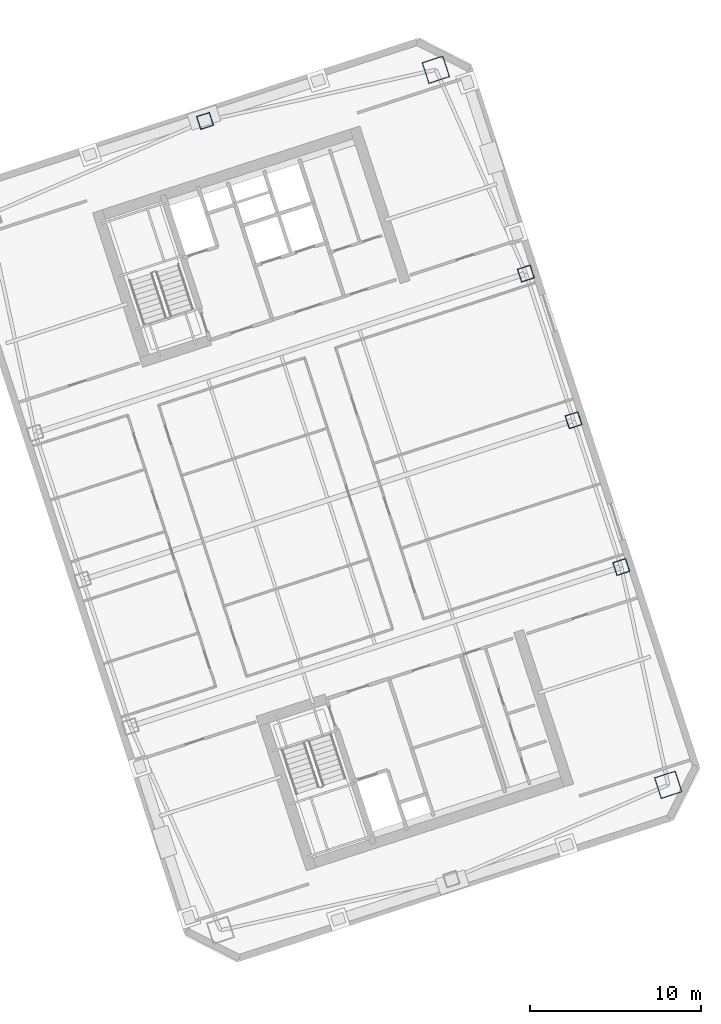
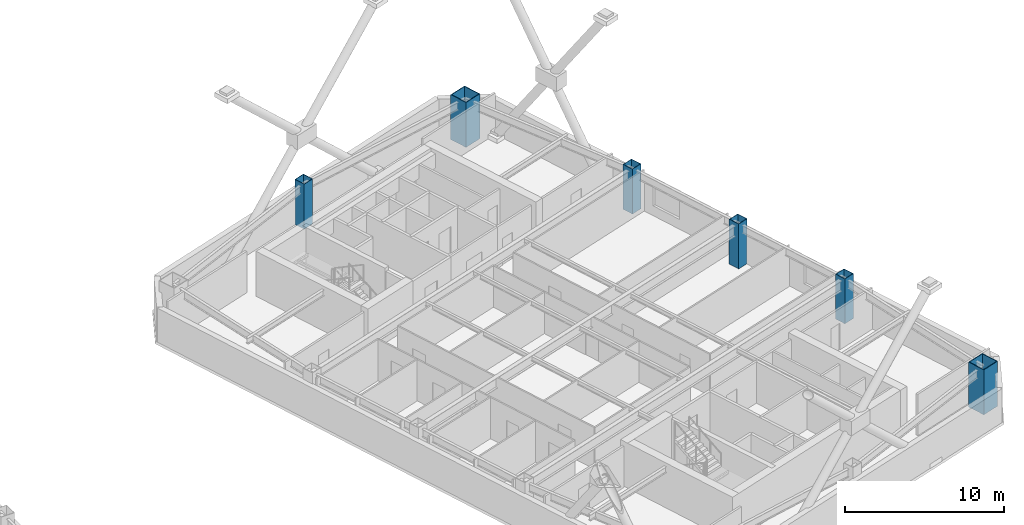
# One storey, part 2 of 14: 6 columns.
"""IFC4 building model written with IfcOpenShell, lengths in metres."""

import ifcopenshell
import ifcopenshell.guid

model = None  # the IFC model being written
_history = None  # IfcOwnerHistory: only IFC2X3 demands one
_inside = {}  # id of a spatial element -> (the spatial element, [elements in it])
_under = {}  # id of a project, library or spatial element -> (it, [spatial elements below it])
_declared = {}  # id of a project -> (the project, [libraries it declares])
_typed = {}  # id of a type object -> (the type object, [elements of that type])
_made_of = {}  # id of a material, layer set ... -> (it, [elements and type objects made of it])


def new_model(schema):
    """Start an empty IFC model of exactly this schema.

    Asked for "IFC4X3", IfcOpenShell would pick the latest addendum, in which some entities
    have other attributes; the version numbers below select the first issue.
    IFC2X3 requires an IfcOwnerHistory on every rooted entity: one is made here for all.
    """
    global model, _history
    if schema == "IFC4X3":
        model = ifcopenshell.file(schema_version=(4, 3, 0, 0))
    else:
        model = ifcopenshell.file(schema=schema)
    _inside.clear()
    _under.clear()
    _declared.clear()
    _typed.clear()
    _made_of.clear()
    _history = None
    if model.schema == "IFC2X3":
        org = make("IfcOrganization", Name="unknown")
        user = make(
            "IfcPersonAndOrganization",
            ThePerson=make("IfcPerson", FamilyName="unknown"),
            TheOrganization=org,
        )
        app = make(
            "IfcApplication",
            ApplicationDeveloper=org,
            Version="unknown",
            ApplicationFullName="unknown",
            ApplicationIdentifier="unknown",
        )
        _history = make(
            "IfcOwnerHistory",
            OwningUser=user,
            OwningApplication=app,
            ChangeAction="ADDED",
            CreationDate=0,
        )
    return model


def make(cls, **values):
    """One entity of the class cls with the attributes given. An attribute that is None is left unset."""
    return model.create_entity(
        cls, **{name: value for name, value in values.items() if value is not None}
    )


def rooted(cls, **values):
    """An entity with a GlobalId (a new one), such as an element, a storey or a relation."""
    return make(cls, GlobalId=ifcopenshell.guid.new(), OwnerHistory=_history, **values)


def si_unit(unit_type, name, prefix=None):
    """IfcSIUnit, for example si_unit("LENGTHUNIT", "METRE", prefix="MILLI")."""
    return make("IfcSIUnit", UnitType=unit_type, Prefix=prefix, Name=name)


def assignment(units):
    """IfcUnitAssignment: the units of a project."""
    return None if units is None else make("IfcUnitAssignment", Units=units)


def point(xyz):
    """IfcCartesianPoint."""
    return None if xyz is None else make("IfcCartesianPoint", Coordinates=xyz)


def direction(xyz):
    """IfcDirection."""
    return None if xyz is None else make("IfcDirection", DirectionRatios=xyz)


def frame(location, z_axis=None, x_axis=None):
    """IfcAxis2Placement3D, a coordinate frame: its origin and axes. An axis left out is left unset."""
    return make(
        "IfcAxis2Placement3D",
        Location=point(location),
        Axis=direction(z_axis),
        RefDirection=direction(x_axis),
    )


def frame_2d(location, x_axis=None):
    """IfcAxis2Placement2D, a coordinate frame in the plane: its origin and x axis."""
    return make(
        "IfcAxis2Placement2D", Location=point(location), RefDirection=direction(x_axis)
    )


def origin():
    """The frame at (0, 0, 0) with its axes left unset."""
    return frame((0.0, 0.0, 0.0))


def origin_2d():
    """The frame at (0, 0) in the plane with its x axis left unset."""
    return frame_2d((0.0, 0.0))


def place(relative_to, where):
    """IfcLocalPlacement: puts the frame where relative to a parent placement (None: the world)."""
    return make(
        "IfcLocalPlacement", PlacementRelTo=relative_to, RelativePlacement=where
    )


def context(
    kind, dimensions, precision=None, world=None, true_north=None, identifier=None
):
    """IfcGeometricRepresentationContext, for example the 3D "Model" context."""
    return make(
        "IfcGeometricRepresentationContext",
        ContextIdentifier=identifier,
        ContextType=kind,
        CoordinateSpaceDimension=dimensions,
        Precision=precision,
        WorldCoordinateSystem=world,
        TrueNorth=true_north,
    )


def subcontext(parent, identifier, kind, view, scale=None):
    """IfcGeometricRepresentationSubContext, for example "Body" below "Model"."""
    return make(
        "IfcGeometricRepresentationSubContext",
        ContextIdentifier=identifier,
        ContextType=kind,
        ParentContext=parent,
        TargetScale=scale,
        TargetView=view,
    )


def project(units=None, contexts=None):
    """IfcProject with its units and contexts."""
    return rooted(
        "IfcProject",
        Name="project",
        RepresentationContexts=contexts,
        UnitsInContext=assignment(units),
    )


def spatial(cls, under=None, at=None, **own):
    """A site, building, storey or space (cls), placed at a placement, below another one or the project."""
    s = rooted(cls, ObjectPlacement=at, **own)
    if under is not None:
        _under.setdefault(under.id(), (under, []))[1].append(s)
    return s


def profile(cls, at=None, kind="AREA", **sizes):
    """A parametric profile (cls). Its sizes go by their IFC names, for example OverallWidth=200.0."""
    return make(cls, ProfileType=kind, Position=at, **sizes)


def hollow_rectangle(**sizes):
    """IfcRectangleHollowProfileDef."""
    return profile("IfcRectangleHollowProfileDef", **sizes)


def extrude(swept, where, along, depth):
    """IfcExtrudedAreaSolid: the profile swept, set in the frame where, extruded along a direction by depth."""
    return make(
        "IfcExtrudedAreaSolid",
        SweptArea=swept,
        Position=where,
        ExtrudedDirection=direction(along),
        Depth=depth,
    )


def shape(context_of_items, identifier, shape_type, items):
    """IfcShapeRepresentation: the items that make up one representation, for example the "Body"."""
    return make(
        "IfcShapeRepresentation",
        ContextOfItems=context_of_items,
        RepresentationIdentifier=identifier,
        RepresentationType=shape_type,
        Items=items,
    )


def material(Name=None, Category=None):
    """IfcMaterial."""
    return make("IfcMaterial", Name=Name, Category=Category)


def material_profile(
    of_material, cross_section, Name=None, Category=None, Priority=None
):
    """IfcMaterialProfile: a cross section and its material."""
    return make(
        "IfcMaterialProfile",
        Name=Name,
        Material=of_material,
        Profile=cross_section,
        Priority=Priority,
        Category=Category,
    )


def profile_set(profiles, Name=None, composite=None):
    """IfcMaterialProfileSet."""
    return make(
        "IfcMaterialProfileSet",
        Name=Name,
        MaterialProfiles=profiles,
        CompositeProfile=composite,
    )


def made_of(thing, what):
    """Note that an element or type object is made of a material, layer set ...; save() writes the relation."""
    if what is not None:
        _made_of.setdefault(what.id(), (what, []))[1].append(thing)
    return thing


def type_object(cls, material=None, **own):
    """A type object (cls), such as IfcWallType, which elements share."""
    return made_of(rooted(cls, **own), material)


def element(
    cls,
    number,
    at=None,
    inside=None,
    cuts=None,
    type_object=None,
    material=None,
    context=None,
    identifier="Body",
    shape_type=None,
    held_by="IfcProductDefinitionShape",
    body=None,
    shapes=None,
    **own,
):
    """One element of the class cls, such as IfcWall. Its Tag is "e" and its number.

    at: its placement. inside: the storey or other place that contains it. cuts: it is an
    opening in that element (IfcRelVoidsElement). A single representation is given by context,
    identifier, shape_type and body (its items); several are given by shapes. held_by: the class
    of the entity that holds the representations. save() writes the other relations.
    """
    e = rooted(cls, Tag="e%d" % number, ObjectPlacement=at, **own)
    if body is not None:
        shapes = [shape(context, identifier, shape_type, body)]
    if shapes is not None:
        e.Representation = make(held_by, Representations=shapes)
    if inside is not None:
        _inside.setdefault(inside.id(), (inside, []))[1].append(e)
    if cuts is not None:
        rooted(
            "IfcRelVoidsElement", RelatingBuildingElement=cuts, RelatedOpeningElement=e
        )
    if type_object is not None:
        _typed.setdefault(type_object.id(), (type_object, []))[1].append(e)
    return made_of(e, material)


def aggregate(whole, parts):
    """IfcRelAggregates: a whole, such as a stair, and the parts it consists of."""
    return rooted("IfcRelAggregates", RelatingObject=whole, RelatedObjects=parts)


def save(model, path):
    """Write the relations noted so far, then the file.

    IfcRelAggregates (storeys below a building ...), IfcRelContainedInSpatialStructure (elements
    in a storey), IfcRelDefinesByType, IfcRelAssociatesMaterial and IfcRelDeclares: one each for
    every whole, place, type object, material and project.
    """
    for whole, parts in _under.values():
        aggregate(whole, parts)
    for where, things in _inside.values():
        rooted(
            "IfcRelContainedInSpatialStructure",
            RelatedElements=things,
            RelatingStructure=where,
        )
    for kind, things in _typed.values():
        rooted("IfcRelDefinesByType", RelatedObjects=things, RelatingType=kind)
    for what, things in _made_of.values():
        rooted("IfcRelAssociatesMaterial", RelatedObjects=things, RelatingMaterial=what)
    for by, libraries in _declared.values():
        rooted("IfcRelDeclares", RelatingContext=by, RelatedDefinitions=libraries)
    model.write(path)


model = new_model("IFC4")

# Units and contexts
model_context = context("Model", 3, precision=1e-05, world=origin(), true_north=direction((0.0, 1.0)))
body_context = subcontext(model_context, "Body", "Model", "MODEL_VIEW")
ifc_project = project(units=[si_unit("LENGTHUNIT", "METRE"), si_unit("AREAUNIT", "SQUARE_METRE"), si_unit("VOLUMEUNIT", "CUBIC_METRE"), si_unit("PLANEANGLEUNIT", "RADIAN"), si_unit("MASSUNIT", "GRAM", prefix="KILO")], contexts=[model_context])

# Site, building, storey
site_placement = place(None, origin())
site = spatial("IfcSite", under=ifc_project, at=site_placement, CompositionType="ELEMENT")
building_placement = place(site_placement, origin())
building = spatial("IfcBuilding", under=site, at=building_placement, Name="Qiaolan Cultural Towers", CompositionType="ELEMENT")
storey_placement = place(building_placement, frame((0.0, 0.0, 149.5)))
storey = spatial("IfcBuildingStorey", under=building, at=storey_placement, Name="L39", CompositionType="ELEMENT", Elevation=149.5)

# Columns
ifc_material_1 = material(Name="Steel Q390GJB", Category="steel")
ifc_material_profile_1 = material_profile(ifc_material_1, hollow_rectangle(XDim=1.300048828125, YDim=1.300048828125, WallThickness=0.044921875, at=origin_2d()), Name="BOX1300x1300x45")
ifc_profile_set_1 = profile_set([ifc_material_profile_1], Name="Steel Q390GJB")
column_type_1 = type_object("IfcColumnType", Name="COL-BOX1300x1300x45", PredefinedType="COLUMN", material=ifc_profile_set_1)
for number, where, z_axis, x_axis, name in (
    (1, (109.834716796875, 17.38623046875, 0.0), (0.0, 0.0, 1.0), (0.951056516295, 0.309016994375, 0.0), "L39 T2 Perimeter Column MC-SE"),
    (2, (96.28125, 59.099365234375, 0.0), (0.0, 0.0, 1.0), (0.951056516295, 0.309016994375, 0.0), "L39 T2 Perimeter Column MC-NE"),
):
    element("IfcColumn", number, at=place(storey_placement, frame(where, z_axis=z_axis, x_axis=x_axis)), inside=storey, type_object=column_type_1, Name=name, PredefinedType="COLUMN", context=body_context, shape_type="SweptSolid", body=[
        extrude(hollow_rectangle(XDim=1.300048828125, YDim=1.300048828125, WallThickness=0.044921875, at=origin_2d()), origin(), (0.0, 0.0, 1.0), 3.450927734375),
    ])
ifc_material_2 = material(Name="Steel Q355B", Category="steel")
ifc_material_profile_2 = material_profile(ifc_material_2, hollow_rectangle(XDim=0.800048828125, YDim=0.800048828125, WallThickness=0.028076171875, at=origin_2d()), Name="BOX800x800x28")
ifc_profile_set_2 = profile_set([ifc_material_profile_2], Name="Steel Q355B")
column_type_2 = type_object("IfcColumnType", Name="COL-BOX800x800x28", PredefinedType="COLUMN", material=ifc_profile_set_2)
for number, where, z_axis, x_axis, name in (
    (3, (107.094482421875, 30.09130859375, 0.0), (0.0, 0.0, 1.0), (0.951056516295, 0.309016994375, 0.0), "L39 T2 Perimeter Column PC-E1"),
    (4, (104.3134765625, 38.650634765625, 0.0), (0.0, 0.0, 1.0), (0.951056516295, 0.309016994375, 0.0), "L39 T2 Perimeter Column PC-E2"),
    (5, (101.5322265625, 47.210205078125, 0.0), (0.0, 0.0, 1.0), (0.951056516295, 0.309016994375, 0.0), "L39 T2 Perimeter Column PC-E3"),
    (6, (82.8154296875, 56.112060546875, 0.0), (0.0, 0.0, 1.0), (0.951056516295, 0.309016994375, 0.0), "L39 T2 Perimeter Column PC-N0"),
):
    element("IfcColumn", number, at=place(storey_placement, frame(where, z_axis=z_axis, x_axis=x_axis)), inside=storey, type_object=column_type_2, Name=name, PredefinedType="COLUMN", context=body_context, shape_type="SweptSolid", body=[
        extrude(hollow_rectangle(XDim=0.800048828125, YDim=0.800048828125, WallThickness=0.028076171875, at=origin_2d()), origin(), (0.0, 0.0, 1.0), 3.450927734375),
    ])

save(model, "model.ifc")
